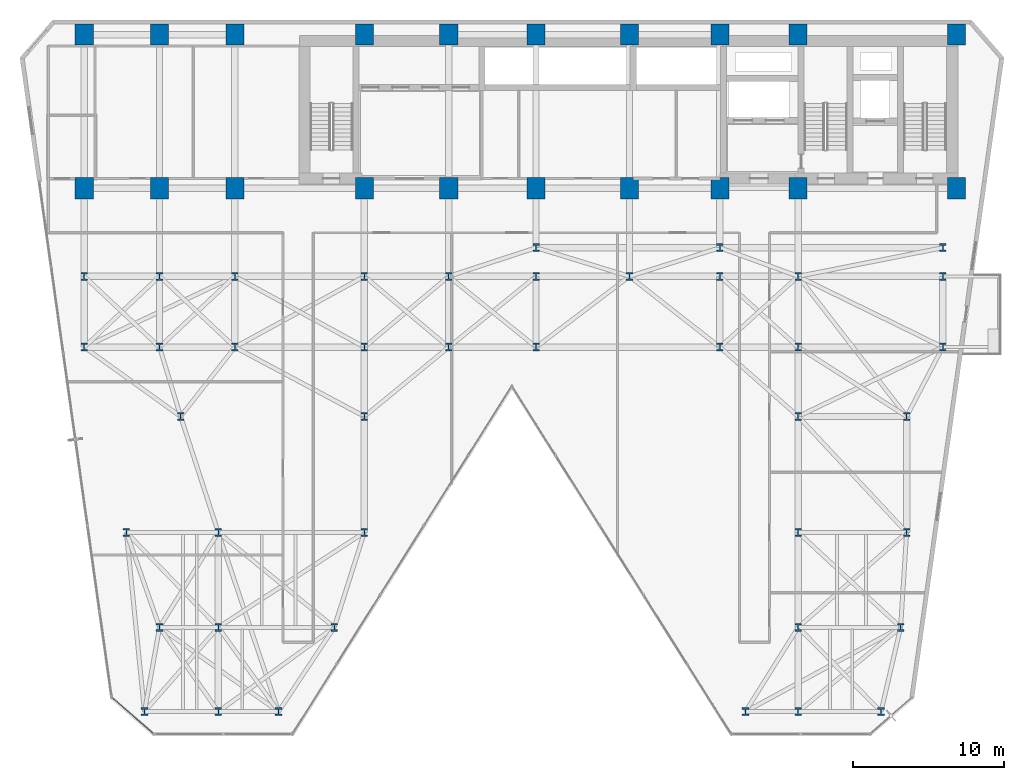
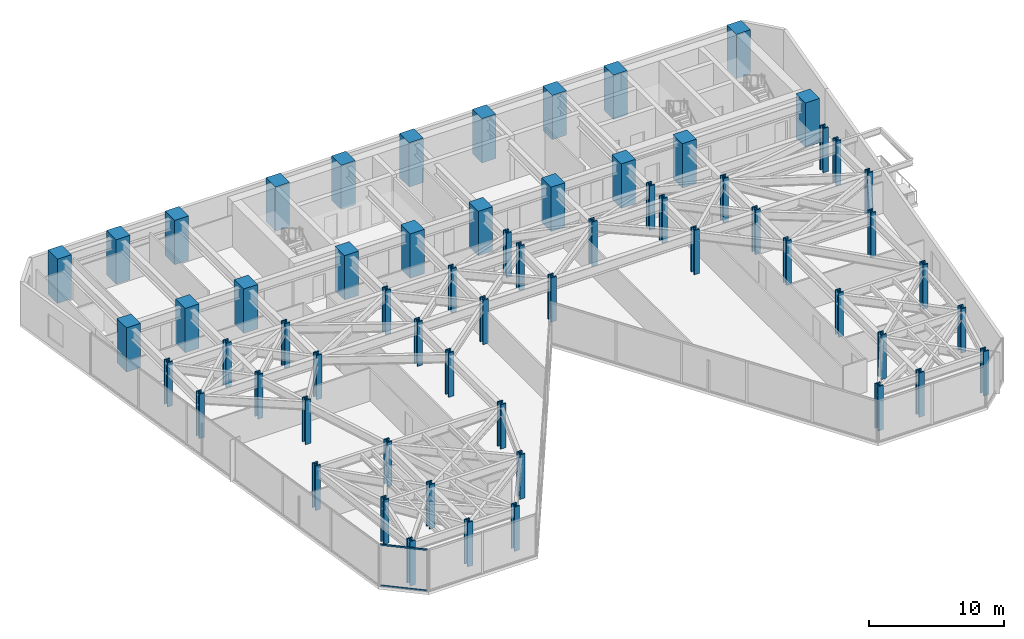
# One storey, part 1 of 25: 62 columns, 2 members, 1 element without a shape of its own.
"""IFC4 building model written with IfcOpenShell, lengths in metres."""

from ifc_helpers import new_model, si_unit, direction, frame, origin, origin_2d, place, context, subcontext, project, spatial, rectangle, hollow_rectangle, i_section, extrude, material, layer, layer_set, material_profile, profile_set, type_object, element, aggregate, save


model = new_model("IFC4")

# Units and contexts
model_context = context("Model", 3, precision=1e-05, world=origin(), true_north=direction((0.0, 1.0)))
body_context = subcontext(model_context, "Body", "Model", "MODEL_VIEW")
ifc_project = project(units=[si_unit("LENGTHUNIT", "METRE"), si_unit("AREAUNIT", "SQUARE_METRE"), si_unit("VOLUMEUNIT", "CUBIC_METRE"), si_unit("PLANEANGLEUNIT", "RADIAN"), si_unit("MASSUNIT", "GRAM", prefix="KILO")], contexts=[model_context])

# Site, building, storey
site_placement = place(None, origin())
site = spatial("IfcSite", under=ifc_project, at=site_placement, CompositionType="ELEMENT")
building_placement = place(site_placement, origin())
building = spatial("IfcBuilding", under=site, at=building_placement, Name="Kravanh Interchange Tower", CompositionType="ELEMENT")
storey_placement = place(building_placement, frame((0.0, 0.0, 41.5)))
storey = spatial("IfcBuildingStorey", under=building, at=storey_placement, Name="L09", CompositionType="ELEMENT", Elevation=41.5)

# Columns
ifc_material_1 = material(Name="Concrete C80/95", Category="concrete")
ifc_material_profile_1 = material_profile(ifc_material_1, rectangle(XDim=1.199951171875, YDim=1.39990234375, at=origin_2d()), Name="RC1200X1400")
ifc_profile_set_1 = profile_set([ifc_material_profile_1], Name="Concrete C80/95")
column_type_1 = type_object("IfcColumnType", Name="Column RC1200X1400 Concrete C80/95", PredefinedType="COLUMN", material=ifc_profile_set_1)
for number, where, z_axis, x_axis, name in (
    (1, (66.5, 47.550048828125, 0.0), (0.0, 0.0, 1.0), (1.0, 0.0, 0.0), "L09 Column CS01"),
    (2, (56.0, 47.550048828125, 0.0), (0.0, 0.0, 1.0), (1.0, 0.0, 0.0), "L09 Column CS02"),
    (3, (66.5, 37.35009765625, 0.0), (0.0, 0.0, 1.0), (1.0, 0.0, 0.0), "L09 Column CS03"),
    (4, (56.0, 37.35009765625, 0.0), (0.0, 0.0, 1.0), (1.0, 0.0, 0.0), "L09 Column CS04"),
    (5, (50.800048828125, 47.550048828125, 0.0), (0.0, 0.0, 1.0), (1.0, 0.0, 0.0), "L09 Column CS05"),
    (6, (50.800048828125, 37.35009765625, 0.0), (0.0, 0.0, 1.0), (1.0, 0.0, 0.0), "L09 Column CS06"),
    (7, (44.800048828125, 37.35009765625, 0.0), (0.0, 0.0, 1.0), (1.0, 0.0, 0.0), "L09 Column CS07"),
    (8, (44.800048828125, 47.550048828125, 0.0), (0.0, 0.0, 1.0), (1.0, 0.0, 0.0), "L09 Column CS08"),
    (9, (38.60009765625, 37.35009765625, 0.0), (0.0, 0.0, 1.0), (1.0, 0.0, 0.0), "L09 Column CS09"),
    (10, (38.60009765625, 47.550048828125, 0.0), (0.0, 0.0, 1.0), (1.0, 0.0, 0.0), "L09 Column CS10"),
    (11, (32.800048828125, 37.35009765625, 0.0), (0.0, 0.0, 1.0), (1.0, 0.0, 0.0), "L09 Column CS11"),
    (12, (32.800048828125, 47.550048828125, 0.0), (0.0, 0.0, 1.0), (1.0, 0.0, 0.0), "L09 Column CS12"),
    (13, (27.199951171875, 37.35009765625, 0.0), (0.0, 0.0, 1.0), (1.0, 0.0, 0.0), "L09 Column CS13"),
    (14, (27.199951171875, 47.550048828125, 0.0), (0.0, 0.0, 1.0), (1.0, 0.0, 0.0), "L09 Column CS14"),
    (15, (18.60009765625, 37.35009765625, 0.0), (0.0, 0.0, 1.0), (1.0, 0.0, 0.0), "L09 Column CS17"),
    (16, (18.60009765625, 47.550048828125, 0.0), (0.0, 0.0, 1.0), (1.0, 0.0, 0.0), "L09 Column CS18"),
    (17, (13.60009765625, 37.35009765625, 0.0), (0.0, 0.0, 1.0), (1.0, 0.0, 0.0), "L09 Column CS19"),
    (18, (13.60009765625, 47.550048828125, 0.0), (0.0, 0.0, 1.0), (1.0, 0.0, 0.0), "L09 Column CS20"),
    (19, (8.60009765625, 37.35009765625, 0.0), (0.0, 0.0, 1.0), (1.0, 0.0, 0.0), "L09 Column CS21"),
    (20, (8.60009765625, 47.550048828125, 0.0), (0.0, 0.0, 1.0), (1.0, 0.0, 0.0), "L09 Column CS22"),
):
    element("IfcColumn", number, at=place(storey_placement, frame(where, z_axis=z_axis, x_axis=x_axis)), inside=storey, type_object=column_type_1, Name=name, PredefinedType="COLUMN", context=body_context, shape_type="SweptSolid", body=[
        extrude(rectangle(XDim=1.199951171875, YDim=1.39990234375, at=origin_2d()), origin(), (0.0, 0.0, 1.0), 4.0),
    ])
ifc_material_2 = material(Name="Structural Steel S450", Category="steel")
ifc_material_profile_2 = material_profile(ifc_material_2, i_section(OverallWidth=0.44189453125, OverallDepth=0.531005859375, WebThickness=0.06591796875, FlangeThickness=0.105712890625, FilletRadius=0.030029296875, at=origin_2d()), Name="W14X605")
ifc_profile_set_2 = profile_set([ifc_material_profile_2], Name="Structural Steel S450")
column_type_2 = type_object("IfcColumnType", Name="Column W14X605 Structural Steel S450", PredefinedType="COLUMN", material=ifc_profile_set_2)
for number, where, z_axis, x_axis, name in (
    (21, (12.60009765625, 2.60009765625, 0.0), (0.0, 0.0, 1.0), (1.0, 0.0, 0.0), "L09 Column CZ1_1"),
    (22, (56.0, 14.5, 0.0), (0.0, 0.0, 1.0), (1.0, 0.0, 0.0), "L09 Column CZ1_10"),
    (23, (63.199951171875, 14.5, 0.0), (0.0, 0.0, 1.0), (1.0, 0.0, 0.0), "L09 Column CZ1_11"),
    (24, (15.0, 22.199951171875, 0.0), (0.0, 0.0, 1.0), (1.0, 0.0, 0.0), "L09 Column CZ1_11B"),
    (25, (27.199951171875, 22.199951171875, 0.0), (0.0, 0.0, 1.0), (1.0, 0.0, 0.0), "L09 Column CZ1_11C"),
    (26, (56.0, 22.199951171875, 0.0), (0.0, 0.0, 1.0), (1.0, 0.0, 0.0), "L09 Column CZ1_11D"),
    (27, (63.199951171875, 22.199951171875, 0.0), (0.0, 0.0, 1.0), (1.0, 0.0, 0.0), "L09 Column CZ1_11E"),
    (28, (8.60009765625, 26.800048828125, 0.0), (0.0, 0.0, 1.0), (1.0, 0.0, 0.0), "L09 Column CZ1_12"),
    (29, (13.60009765625, 26.800048828125, 0.0), (0.0, 0.0, 1.0), (1.0, 0.0, 0.0), "L09 Column CZ1_13"),
    (30, (18.60009765625, 26.800048828125, 0.0), (0.0, 0.0, 1.0), (1.0, 0.0, 0.0), "L09 Column CZ1_14"),
    (31, (27.199951171875, 26.800048828125, 0.0), (0.0, 0.0, 1.0), (1.0, 0.0, 0.0), "L09 Column CZ1_15"),
    (32, (32.800048828125, 26.800048828125, 0.0), (0.0, 0.0, 1.0), (1.0, 0.0, 0.0), "L09 Column CZ1_16"),
    (33, (38.60009765625, 26.800048828125, 0.0), (0.0, 0.0, 1.0), (1.0, 0.0, 0.0), "L09 Column CZ1_16B"),
    (34, (50.800048828125, 26.800048828125, 0.0), (0.0, 0.0, 1.0), (1.0, 0.0, 0.0), "L09 Column CZ1_17"),
    (35, (56.0, 26.800048828125, 0.0), (0.0, 0.0, 1.0), (1.0, 0.0, 0.0), "L09 Column CZ1_18"),
    (36, (65.60009765625, 26.800048828125, 0.0), (0.0, 0.0, 1.0), (1.0, 0.0, 0.0), "L09 Column CZ1_19"),
    (37, (8.60009765625, 31.5, 0.0), (0.0, 0.0, 1.0), (1.0, 0.0, 0.0), "L09 Column CZ1_19B"),
    (38, (13.60009765625, 31.5, 0.0), (0.0, 0.0, 1.0), (1.0, 0.0, 0.0), "L09 Column CZ1_19C"),
    (39, (17.5, 2.60009765625, 0.0), (0.0, 0.0, 1.0), (1.0, 0.0, 0.0), "L09 Column CZ1_2"),
    (40, (18.60009765625, 31.5, 0.0), (0.0, 0.0, 1.0), (1.0, 0.0, 0.0), "L09 Column CZ1_20"),
    (41, (27.199951171875, 31.5, 0.0), (0.0, 0.0, 1.0), (1.0, 0.0, 0.0), "L09 Column CZ1_21"),
    (42, (32.800048828125, 31.5, 0.0), (0.0, 0.0, 1.0), (1.0, 0.0, 0.0), "L09 Column CZ1_22"),
    (43, (38.60009765625, 31.5, 0.0), (0.0, 0.0, 1.0), (1.0, 0.0, 0.0), "L09 Column CZ1_23"),
    (44, (44.800048828125, 31.5, 0.0), (0.0, 0.0, 1.0), (1.0, 0.0, 0.0), "L09 Column CZ1_24"),
    (45, (50.800048828125, 31.5, 0.0), (0.0, 0.0, 1.0), (1.0, 0.0, 0.0), "L09 Column CZ1_25"),
    (46, (56.0, 31.5, 0.0), (0.0, 0.0, 1.0), (1.0, 0.0, 0.0), "L09 Column CZ1_26"),
    (47, (65.60009765625, 31.5, 0.0), (0.0, 0.0, 1.0), (1.0, 0.0, 0.0), "L09 Column CZ1_27"),
    (48, (21.5, 2.60009765625, 0.0), (0.0, 0.0, 1.0), (1.0, 0.0, 0.0), "L09 Column CZ1_3"),
    (49, (52.5, 2.60009765625, 0.0), (0.0, 0.0, 1.0), (1.0, 0.0, 0.0), "L09 Column CZ1_4"),
    (50, (56.0, 2.60009765625, 0.0), (0.0, 0.0, 1.0), (1.0, 0.0, 0.0), "L09 Column CZ1_5"),
    (51, (61.5, 2.60009765625, 0.0), (0.0, 0.0, 1.0), (1.0, 0.0, 0.0), "L09 Column CZ1_5B"),
    (52, (13.60009765625, 8.199951171875, 0.0), (0.0, 0.0, 1.0), (1.0, 0.0, 0.0), "L09 Column CZ1_6"),
    (53, (17.5, 8.199951171875, 0.0), (0.0, 0.0, 1.0), (1.0, 0.0, 0.0), "L09 Column CZ1_6B"),
    (54, (25.199951171875, 8.199951171875, 0.0), (0.0, 0.0, 1.0), (1.0, 0.0, 0.0), "L09 Column CZ1_6C"),
    (55, (56.0, 8.199951171875, 0.0), (0.0, 0.0, 1.0), (1.0, 0.0, 0.0), "L09 Column CZ1_6D"),
    (56, (62.800048828125, 8.199951171875, 0.0), (0.0, 0.0, 1.0), (1.0, 0.0, 0.0), "L09 Column CZ1_6E"),
    (57, (11.39990234375, 14.5, 0.0), (0.0, 0.0, 1.0), (1.0, 0.0, 0.0), "L09 Column CZ1_7"),
    (58, (17.5, 14.5, 0.0), (0.0, 0.0, 1.0), (1.0, 0.0, 0.0), "L09 Column CZ1_7B"),
    (59, (27.199951171875, 14.5, 0.0), (0.0, 0.0, 1.0), (1.0, 0.0, 0.0), "L09 Column CZ1_8"),
    (60, (38.60009765625, 33.39990234375, 0.0), (0.0, 0.0, 1.0), (1.0, 0.0, 0.0), "L09 Column CZ1_M1"),
    (61, (50.800048828125, 33.39990234375, 0.0), (0.0, 0.0, 1.0), (1.0, 0.0, 0.0), "L09 Column CZ1_M2"),
    (62, (65.60009765625, 33.39990234375, 0.0), (0.0, 0.0, 1.0), (1.0, 0.0, 0.0), "L09 Column CZ1_M3"),
):
    element("IfcColumn", number, at=place(storey_placement, frame(where, z_axis=z_axis, x_axis=x_axis)), inside=storey, type_object=column_type_2, Name=name, PredefinedType="COLUMN", context=body_context, shape_type="SweptSolid", body=[
        extrude(i_section(OverallWidth=0.44189453125, OverallDepth=0.531005859375, WebThickness=0.06591796875, FlangeThickness=0.105712890625, FilletRadius=0.030029296875, at=origin_2d()), origin(), (0.0, 0.0, 1.0), 4.0),
    ])

# Curtain wall, members
ifc_material_3 = material(Name="Anodised Bronze Aluminium", Category="aluminium")
ifc_layer = layer(ifc_material_3, 0.179931640625)
ifc_layer_set = layer_set([ifc_layer], Name="Unitised Curtain Wall System CW-Z1 Lower Office")
curtain_wall_type = type_object("IfcCurtainWallType", Name="Unitised Curtain Wall System CW-Z1 Lower Office", PredefinedType="NOTDEFINED", material=ifc_layer_set)
curtain_wall_placement = place(storey_placement, origin())
curtain_wall = element("IfcCurtainWall", 63, at=curtain_wall_placement, inside=storey, type_object=curtain_wall_type, Name="L09 Unitised Curtain Wall CW-L09-07", PredefinedType="NOTDEFINED")
ifc_material_4 = material(Name="Anodised Bronze Aluminium", Category="aluminium")
ifc_material_profile_3 = material_profile(ifc_material_4, hollow_rectangle(XDim=0.06005859375, YDim=0.139892578125, WallThickness=0.00390625, at=origin_2d()), Name="ALU60X140X4")
ifc_profile_set_3 = profile_set([ifc_material_profile_3], Name="Anodised Bronze Aluminium")
member_type = type_object("IfcMemberType", Name="Curtain Wall Transom ALU60X140X4 Bronze", PredefinedType="USERDEFINED", material=ifc_profile_set_3)
member_1_placement = place(storey_placement, frame((13.167724609375, 1.166015625, 0.030029296875), z_axis=(-0.754710815466, 0.656057608004, 0.0), x_axis=(-0.656057608004, -0.754710815466, 0.0)))
member_1 = element("IfcMember", 64, at=member_1_placement, type_object=member_type, Name="CW-Z1 transom 1.1", ObjectType="TRANSOM", PredefinedType="USERDEFINED", context=body_context, shape_type="SweptSolid", body=[
    extrude(hollow_rectangle(XDim=0.06005859375, YDim=0.139892578125, WallThickness=0.00390625, at=origin_2d()), origin(), (0.0, 0.0, 1.0), 3.543701171875),
])
member_2_placement = place(storey_placement, frame((13.167724609375, 1.166015625, 3.7099609375), z_axis=(-0.754710815466, 0.656057608004, 0.0), x_axis=(-0.656057608004, -0.754710815466, 0.0)))
member_2 = element("IfcMember", 65, at=member_2_placement, type_object=member_type, Name="CW-Z1 transom 1.2", ObjectType="TRANSOM", PredefinedType="USERDEFINED", context=body_context, shape_type="SweptSolid", body=[
    extrude(hollow_rectangle(XDim=0.06005859375, YDim=0.139892578125, WallThickness=0.00390625, at=origin_2d()), origin(), (0.0, 0.0, 1.0), 3.543701171875),
])
aggregate(curtain_wall, [member_1, member_2])

save(model, "model.ifc")
